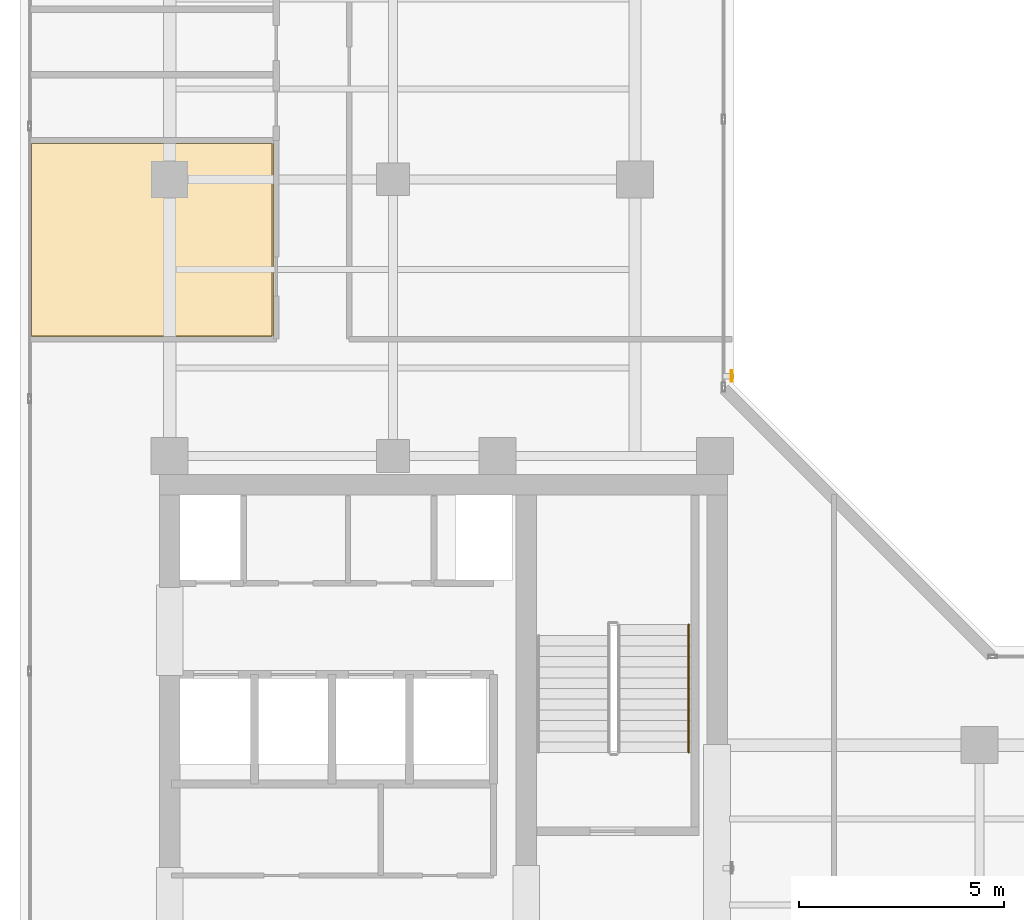
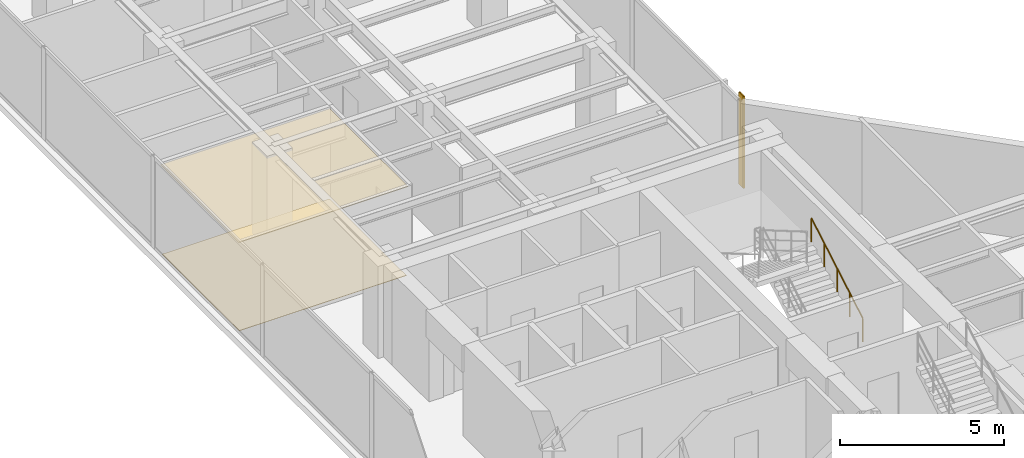
# One storey, part 21 of 23: 2 coverings, 1 railing, 1 shading device.
"""IFC4 building model written with IfcOpenShell, lengths in metres."""

from ifc_helpers import new_model, si_unit, direction, frame, origin, origin_2d, place, context, subcontext, project, spatial, polyline, hollow_rectangle, circle, outline, extrude, material, layer, layer_set, material_profile, profile_set, type_object, element, save


model = new_model("IFC4")

# Units and contexts
model_context = context("Model", 3, precision=1e-05, world=origin(), true_north=direction((0.0, 1.0)))
body_context = subcontext(model_context, "Body", "Model", "MODEL_VIEW")
ifc_project = project(units=[si_unit("LENGTHUNIT", "METRE"), si_unit("AREAUNIT", "SQUARE_METRE"), si_unit("VOLUMEUNIT", "CUBIC_METRE"), si_unit("PLANEANGLEUNIT", "RADIAN"), si_unit("MASSUNIT", "GRAM", prefix="KILO")], contexts=[model_context])

# Site, building, storey
site_placement = place(None, origin())
site = spatial("IfcSite", under=ifc_project, at=site_placement, CompositionType="ELEMENT")
building_placement = place(site_placement, origin())
building = spatial("IfcBuilding", under=site, at=building_placement, Name="Kolvaren Waterfront Exchange", CompositionType="ELEMENT")
storey_placement = place(building_placement, frame((0.0, 0.0, 335.0)))
storey = spatial("IfcBuildingStorey", under=building, at=storey_placement, Name="L86", CompositionType="ELEMENT", Elevation=335.0)

# Covering
ifc_material_1 = material(Name="Mineral fibre acoustic ceiling tile")
ifc_layer_1 = layer(ifc_material_1, 0.02490234375, Name="Mineral fibre acoustic ceiling tile")
ifc_layer_set_1 = layer_set([ifc_layer_1], Name="Mineral fibre acoustic ceiling tile")
covering_type_1 = type_object("IfcCoveringType", Name="ARC-CEIL-ACOUSTIC-25", PredefinedType="CEILING", material=ifc_layer_set_1)
covering_1_placement = place(storey_placement, frame((0.0, 0.0, 3.304931640625)))
element("IfcCovering", 1, at=covering_1_placement, inside=storey, type_object=covering_type_1, Name="L86 acoustic suspended ceiling 1", PredefinedType="CEILING", context=body_context, shape_type="SweptSolid", body=[
    extrude(outline(polyline([(9.985107421875, 27.344970703125), (9.985107421875, 32.10498046875), (4.044921875, 32.10498046875), (4.044921875, 27.344970703125), (9.985107421875, 27.344970703125)])), origin(), (0.0, 0.0, 1.0), 0.025146484375),
])

# Shading device
ifc_material_2 = material(Name="Anodised bronze aluminium 6063-T6", Category="aluminium")
ifc_material_profile = material_profile(ifc_material_2, hollow_rectangle(XDim=0.054931640625, YDim=0.280029296875, WallThickness=0.00439453125, at=origin_2d()), Name="BRZ-FIN-280x55x4.5")
ifc_profile_set = profile_set([ifc_material_profile], Name="Anodised bronze aluminium 6063-T6")
shading_device_type = type_object("IfcShadingDeviceType", Name="ARC-FIN-280", PredefinedType="USERDEFINED", material=ifc_profile_set)
shading_device_placement = place(storey_placement, frame((21.159912109375, 26.39990234375, 0.0), z_axis=(0.0, 0.0, 1.0), x_axis=(1.0, 0.0, 0.0)))
element("IfcShadingDevice", 2, at=shading_device_placement, inside=storey, type_object=shading_device_type, Name="L86 anodised bronze solar shading fin FIN-L86-E2", ObjectType="SOLAR FIN", PredefinedType="USERDEFINED", context=body_context, shape_type="SweptSolid", body=[
    extrude(hollow_rectangle(XDim=0.054931640625, YDim=0.280029296875, WallThickness=0.00439453125, at=origin_2d()), origin(), (0.0, 0.0, 1.0), 3.419921875),
])

# Covering
ifc_material_3 = material(Name="Slip-resistant porcelain tile")
ifc_layer_2 = layer(ifc_material_3, 0.014892578125, Name="Slip-resistant porcelain tile")
ifc_layer_set_2 = layer_set([ifc_layer_2], Name="Slip-resistant porcelain tile")
covering_type_2 = type_object("IfcCoveringType", Name="ARC-FLR-PORC-15", PredefinedType="FLOORING", material=ifc_layer_set_2)
covering_2_placement = place(storey_placement, origin())
element("IfcCovering", 3, at=covering_2_placement, inside=storey, type_object=covering_type_2, Name="L86 floor finish 1", PredefinedType="FLOORING", context=body_context, shape_type="SweptSolid", body=[
    extrude(outline(polyline([(4.080078125, 32.070068359375), (4.080078125, 27.3798828125), (9.949951171875, 27.3798828125), (9.949951171875, 32.070068359375), (4.080078125, 32.070068359375)])), origin(), (0.0, 0.0, 1.0), 0.014892578125),
])

# Railing
ifc_material_4 = material(Name="Stainless steel 316", Category="steel")
railing_type = type_object("IfcRailingType", Name="ARC-HANDRAIL-900", PredefinedType="HANDRAIL", material=ifc_material_4)
railing_placement = place(storey_placement, frame((20.110107421875, 17.219970703125, 0.152099609375)))
element("IfcRailing", 4, at=railing_placement, inside=storey, type_object=railing_type, Name="L86 ST2 stair handrail 1", PredefinedType="HANDRAIL", context=body_context, shape_type="SweptSolid", body=[
    extrude(circle(Radius=0.02392578125, at=origin_2d()), frame((0.0, 0.0, 0.8759765625), z_axis=(0.0, 0.86330811405, 0.504677223793), x_axis=(-1.0, 0.0, 0.0)), (0.0, 0.0, 1.0), 3.6142578125),
    extrude(circle(Radius=0.02099609375, at=origin_2d()), origin(), (0.0, 0.0, 1.0), 0.851806640625),
    extrude(circle(Radius=0.02099609375, at=origin_2d()), frame((0.0, 0.780029296875, 0.4560546875)), (0.0, 0.0, 1.0), 0.851806640625),
    extrude(circle(Radius=0.02099609375, at=origin_2d()), frame((0.0, 1.56005859375, 0.912109375)), (0.0, 0.0, 1.0), 0.851806640625),
    extrude(circle(Radius=0.02099609375, at=origin_2d()), frame((0.0, 2.340087890625, 1.367919921875)), (0.0, 0.0, 1.0), 0.851806640625),
    extrude(circle(Radius=0.02099609375, at=origin_2d()), frame((0.0, 3.1201171875, 1.823974609375)), (0.0, 0.0, 1.0), 0.851806640625),
])

save(model, "model.ifc")
